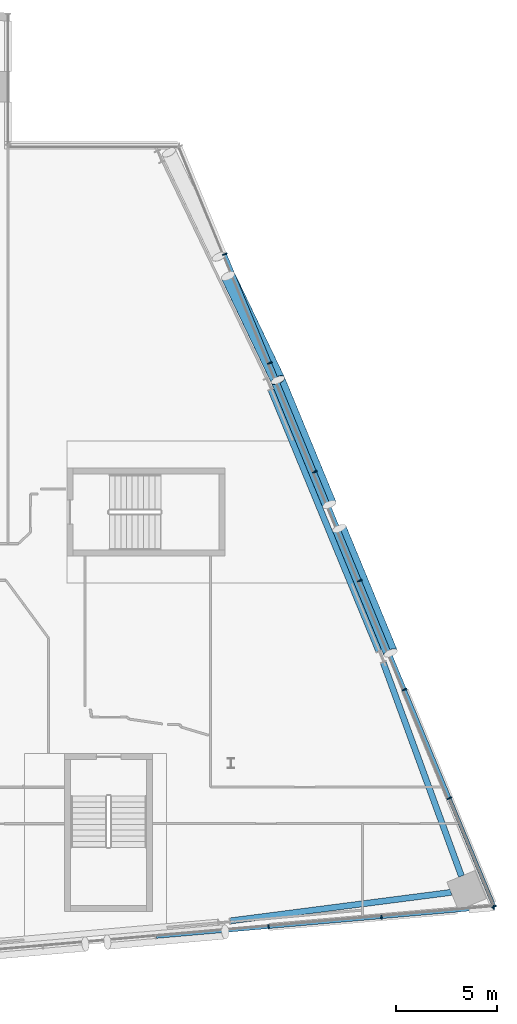
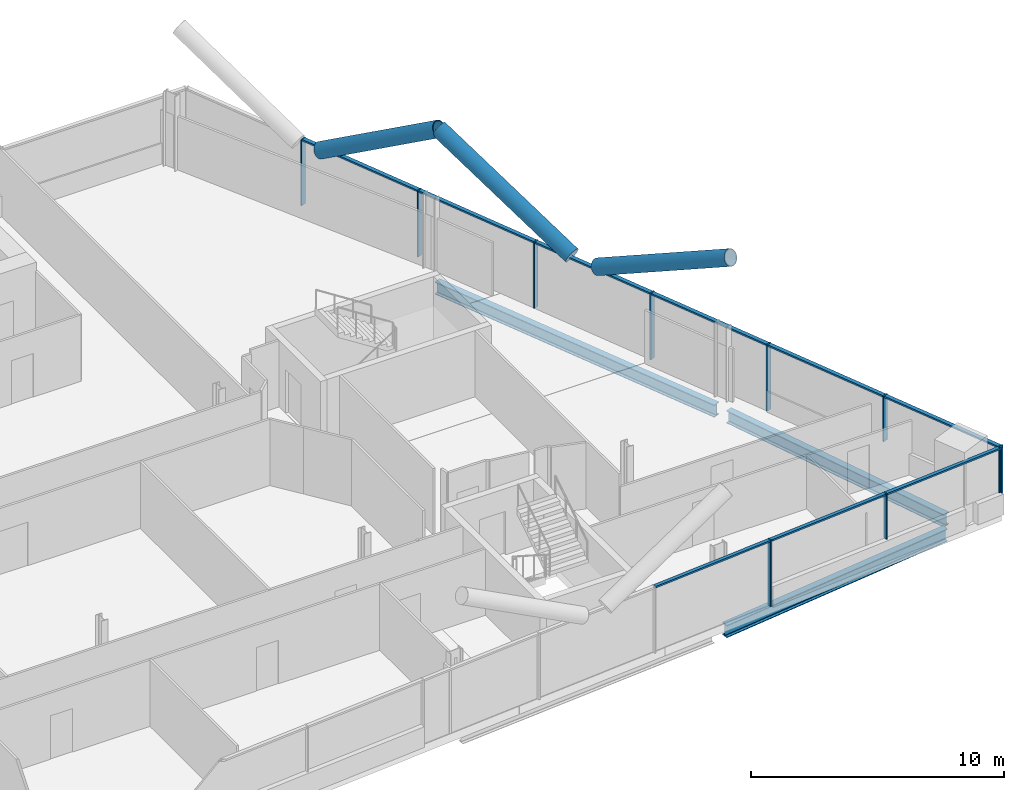
# One storey, part 11 of 27: 22 members, 3 beams, 2 elements without a shape of their own.
"""IFC4 building model written with IfcOpenShell, lengths in metres."""

import ifcopenshell
import ifcopenshell.guid

model = None  # the IFC model being written
_history = None  # IfcOwnerHistory: only IFC2X3 demands one
_inside = {}  # id of a spatial element -> (the spatial element, [elements in it])
_under = {}  # id of a project, library or spatial element -> (it, [spatial elements below it])
_declared = {}  # id of a project -> (the project, [libraries it declares])
_typed = {}  # id of a type object -> (the type object, [elements of that type])
_made_of = {}  # id of a material, layer set ... -> (it, [elements and type objects made of it])


def new_model(schema):
    """Start an empty IFC model of exactly this schema.

    Asked for "IFC4X3", IfcOpenShell would pick the latest addendum, in which some entities
    have other attributes; the version numbers below select the first issue.
    IFC2X3 requires an IfcOwnerHistory on every rooted entity: one is made here for all.
    """
    global model, _history
    if schema == "IFC4X3":
        model = ifcopenshell.file(schema_version=(4, 3, 0, 0))
    else:
        model = ifcopenshell.file(schema=schema)
    _inside.clear()
    _under.clear()
    _declared.clear()
    _typed.clear()
    _made_of.clear()
    _history = None
    if model.schema == "IFC2X3":
        org = make("IfcOrganization", Name="unknown")
        user = make(
            "IfcPersonAndOrganization",
            ThePerson=make("IfcPerson", FamilyName="unknown"),
            TheOrganization=org,
        )
        app = make(
            "IfcApplication",
            ApplicationDeveloper=org,
            Version="unknown",
            ApplicationFullName="unknown",
            ApplicationIdentifier="unknown",
        )
        _history = make(
            "IfcOwnerHistory",
            OwningUser=user,
            OwningApplication=app,
            ChangeAction="ADDED",
            CreationDate=0,
        )
    return model


def make(cls, **values):
    """One entity of the class cls with the attributes given. An attribute that is None is left unset."""
    return model.create_entity(
        cls, **{name: value for name, value in values.items() if value is not None}
    )


def rooted(cls, **values):
    """An entity with a GlobalId (a new one), such as an element, a storey or a relation."""
    return make(cls, GlobalId=ifcopenshell.guid.new(), OwnerHistory=_history, **values)


def si_unit(unit_type, name, prefix=None):
    """IfcSIUnit, for example si_unit("LENGTHUNIT", "METRE", prefix="MILLI")."""
    return make("IfcSIUnit", UnitType=unit_type, Prefix=prefix, Name=name)


def assignment(units):
    """IfcUnitAssignment: the units of a project."""
    return None if units is None else make("IfcUnitAssignment", Units=units)


def point(xyz):
    """IfcCartesianPoint."""
    return None if xyz is None else make("IfcCartesianPoint", Coordinates=xyz)


def direction(xyz):
    """IfcDirection."""
    return None if xyz is None else make("IfcDirection", DirectionRatios=xyz)


def frame(location, z_axis=None, x_axis=None):
    """IfcAxis2Placement3D, a coordinate frame: its origin and axes. An axis left out is left unset."""
    return make(
        "IfcAxis2Placement3D",
        Location=point(location),
        Axis=direction(z_axis),
        RefDirection=direction(x_axis),
    )


def frame_2d(location, x_axis=None):
    """IfcAxis2Placement2D, a coordinate frame in the plane: its origin and x axis."""
    return make(
        "IfcAxis2Placement2D", Location=point(location), RefDirection=direction(x_axis)
    )


def origin():
    """The frame at (0, 0, 0) with its axes left unset."""
    return frame((0.0, 0.0, 0.0))


def origin_2d():
    """The frame at (0, 0) in the plane with its x axis left unset."""
    return frame_2d((0.0, 0.0))


def place(relative_to, where):
    """IfcLocalPlacement: puts the frame where relative to a parent placement (None: the world)."""
    return make(
        "IfcLocalPlacement", PlacementRelTo=relative_to, RelativePlacement=where
    )


def context(
    kind, dimensions, precision=None, world=None, true_north=None, identifier=None
):
    """IfcGeometricRepresentationContext, for example the 3D "Model" context."""
    return make(
        "IfcGeometricRepresentationContext",
        ContextIdentifier=identifier,
        ContextType=kind,
        CoordinateSpaceDimension=dimensions,
        Precision=precision,
        WorldCoordinateSystem=world,
        TrueNorth=true_north,
    )


def subcontext(parent, identifier, kind, view, scale=None):
    """IfcGeometricRepresentationSubContext, for example "Body" below "Model"."""
    return make(
        "IfcGeometricRepresentationSubContext",
        ContextIdentifier=identifier,
        ContextType=kind,
        ParentContext=parent,
        TargetScale=scale,
        TargetView=view,
    )


def project(units=None, contexts=None):
    """IfcProject with its units and contexts."""
    return rooted(
        "IfcProject",
        Name="project",
        RepresentationContexts=contexts,
        UnitsInContext=assignment(units),
    )


def spatial(cls, under=None, at=None, **own):
    """A site, building, storey or space (cls), placed at a placement, below another one or the project."""
    s = rooted(cls, ObjectPlacement=at, **own)
    if under is not None:
        _under.setdefault(under.id(), (under, []))[1].append(s)
    return s


def profile(cls, at=None, kind="AREA", **sizes):
    """A parametric profile (cls). Its sizes go by their IFC names, for example OverallWidth=200.0."""
    return make(cls, ProfileType=kind, Position=at, **sizes)


def rectangle(**sizes):
    """IfcRectangleProfileDef."""
    return profile("IfcRectangleProfileDef", **sizes)


def hollow_circle(**sizes):
    """IfcCircleHollowProfileDef."""
    return profile("IfcCircleHollowProfileDef", **sizes)


def i_section(**sizes):
    """IfcIShapeProfileDef."""
    return profile("IfcIShapeProfileDef", **sizes)


def extrude(swept, where, along, depth):
    """IfcExtrudedAreaSolid: the profile swept, set in the frame where, extruded along a direction by depth."""
    return make(
        "IfcExtrudedAreaSolid",
        SweptArea=swept,
        Position=where,
        ExtrudedDirection=direction(along),
        Depth=depth,
    )


def shape(context_of_items, identifier, shape_type, items):
    """IfcShapeRepresentation: the items that make up one representation, for example the "Body"."""
    return make(
        "IfcShapeRepresentation",
        ContextOfItems=context_of_items,
        RepresentationIdentifier=identifier,
        RepresentationType=shape_type,
        Items=items,
    )


def material(Name=None, Category=None):
    """IfcMaterial."""
    return make("IfcMaterial", Name=Name, Category=Category)


def material_profile(
    of_material, cross_section, Name=None, Category=None, Priority=None
):
    """IfcMaterialProfile: a cross section and its material."""
    return make(
        "IfcMaterialProfile",
        Name=Name,
        Material=of_material,
        Profile=cross_section,
        Priority=Priority,
        Category=Category,
    )


def profile_set(profiles, Name=None, composite=None):
    """IfcMaterialProfileSet."""
    return make(
        "IfcMaterialProfileSet",
        Name=Name,
        MaterialProfiles=profiles,
        CompositeProfile=composite,
    )


def made_of(thing, what):
    """Note that an element or type object is made of a material, layer set ...; save() writes the relation."""
    if what is not None:
        _made_of.setdefault(what.id(), (what, []))[1].append(thing)
    return thing


def type_object(cls, material=None, **own):
    """A type object (cls), such as IfcWallType, which elements share."""
    return made_of(rooted(cls, **own), material)


def element(
    cls,
    number,
    at=None,
    inside=None,
    cuts=None,
    type_object=None,
    material=None,
    context=None,
    identifier="Body",
    shape_type=None,
    held_by="IfcProductDefinitionShape",
    body=None,
    shapes=None,
    **own,
):
    """One element of the class cls, such as IfcWall. Its Tag is "e" and its number.

    at: its placement. inside: the storey or other place that contains it. cuts: it is an
    opening in that element (IfcRelVoidsElement). A single representation is given by context,
    identifier, shape_type and body (its items); several are given by shapes. held_by: the class
    of the entity that holds the representations. save() writes the other relations.
    """
    e = rooted(cls, Tag="e%d" % number, ObjectPlacement=at, **own)
    if body is not None:
        shapes = [shape(context, identifier, shape_type, body)]
    if shapes is not None:
        e.Representation = make(held_by, Representations=shapes)
    if inside is not None:
        _inside.setdefault(inside.id(), (inside, []))[1].append(e)
    if cuts is not None:
        rooted(
            "IfcRelVoidsElement", RelatingBuildingElement=cuts, RelatedOpeningElement=e
        )
    if type_object is not None:
        _typed.setdefault(type_object.id(), (type_object, []))[1].append(e)
    return made_of(e, material)


def aggregate(whole, parts):
    """IfcRelAggregates: a whole, such as a stair, and the parts it consists of."""
    return rooted("IfcRelAggregates", RelatingObject=whole, RelatedObjects=parts)


def save(model, path):
    """Write the relations noted so far, then the file.

    IfcRelAggregates (storeys below a building ...), IfcRelContainedInSpatialStructure (elements
    in a storey), IfcRelDefinesByType, IfcRelAssociatesMaterial and IfcRelDeclares: one each for
    every whole, place, type object, material and project.
    """
    for whole, parts in _under.values():
        aggregate(whole, parts)
    for where, things in _inside.values():
        rooted(
            "IfcRelContainedInSpatialStructure",
            RelatedElements=things,
            RelatingStructure=where,
        )
    for kind, things in _typed.values():
        rooted("IfcRelDefinesByType", RelatedObjects=things, RelatingType=kind)
    for what, things in _made_of.values():
        rooted("IfcRelAssociatesMaterial", RelatedObjects=things, RelatingMaterial=what)
    for by, libraries in _declared.values():
        rooted("IfcRelDeclares", RelatingContext=by, RelatedDefinitions=libraries)
    model.write(path)


model = new_model("IFC4")

# Units and contexts
model_context = context("Model", 3, precision=1e-05, world=origin(), true_north=direction((0.0, 1.0)))
body_context = subcontext(model_context, "Body", "Model", "MODEL_VIEW")
ifc_project = project(units=[si_unit("LENGTHUNIT", "METRE"), si_unit("AREAUNIT", "SQUARE_METRE"), si_unit("VOLUMEUNIT", "CUBIC_METRE"), si_unit("PLANEANGLEUNIT", "RADIAN"), si_unit("MASSUNIT", "GRAM", prefix="KILO")], contexts=[model_context])

# Site, building, storey
site_placement = place(None, origin())
site = spatial("IfcSite", under=ifc_project, at=site_placement, CompositionType="ELEMENT")
building_placement = place(site_placement, origin())
building = spatial("IfcBuilding", under=site, at=building_placement, Name="Wharfspan Tower", CompositionType="ELEMENT")
storey_placement = place(building_placement, frame((0.0, 0.0, 195.100098)))
storey = spatial("IfcBuildingStorey", under=building, at=storey_placement, Name="L48", CompositionType="ELEMENT", Elevation=195.100098)

# Beams
ifc_material_1 = material(Name="Steel S355J2", Category="steel")
ifc_material_profile_1 = material_profile(ifc_material_1, i_section(OverallWidth=0.300049, OverallDepth=0.600098, WebThickness=0.015381, FlangeThickness=0.030029, FilletRadius=0.0271, at=origin_2d()))
ifc_profile_set_1 = profile_set([ifc_material_profile_1], Name="Steel S355J2")
beam_type = type_object("IfcBeamType", Name="Edge beam HEB 600", PredefinedType="SPANDREL", material=ifc_profile_set_1)
beam_1_placement = place(storey_placement, frame((71.965576, 3.724121, -0.700195), z_axis=(0.991764, 0.128077, 0.0), x_axis=(-0.128077, 0.991764, 0.0)))
element("IfcBeam", 1, at=beam_1_placement, inside=storey, type_object=beam_type, Name="Edge beam S2 L48 PS2.2 to MC4", PredefinedType="SPANDREL", context=body_context, shape_type="SweptSolid", body=[
    extrude(i_section(OverallWidth=0.300049, OverallDepth=0.600098, WebThickness=0.015381, FlangeThickness=0.030029, FilletRadius=0.0271, at=origin_2d()), origin(), (0.0, 0.0, 1.0), 10.991211),
])
beam_2_placement = place(storey_placement, frame((83.375732, 5.931885, -0.700195), z_axis=(-0.343871, 0.939017, 0.0), x_axis=(-0.939017, -0.343871, 0.0)))
element("IfcBeam", 2, at=beam_2_placement, inside=storey, type_object=beam_type, Name="Edge beam E L48 MC4 to PE.1", PredefinedType="SPANDREL", context=body_context, shape_type="SweptSolid", body=[
    extrude(i_section(OverallWidth=0.300049, OverallDepth=0.600098, WebThickness=0.015381, FlangeThickness=0.030029, FilletRadius=0.0271, at=origin_2d()), origin(), (0.0, 0.0, 1.0), 11.226807),
])
beam_3_placement = place(storey_placement, frame((79.292969, 17.044434, -0.700195), z_axis=(-0.381593, 0.92433, 0.0), x_axis=(-0.92433, -0.381593, 0.0)))
element("IfcBeam", 3, at=beam_3_placement, inside=storey, type_object=beam_type, Name="Edge beam E L48 PE.1 to PE.2", PredefinedType="SPANDREL", context=body_context, shape_type="SweptSolid", body=[
    extrude(i_section(OverallWidth=0.300049, OverallDepth=0.600098, WebThickness=0.015381, FlangeThickness=0.030029, FilletRadius=0.0271, at=origin_2d()), origin(), (0.0, 0.0, 1.0), 13.94751),
])

# Curtain wall, members
ifc_material_2 = material(Name="Aluminium 6063-T6", Category="aluminium")
curtain_wall_type_1 = type_object("IfcCurtainWallType", Name="CURTAIN WALL FACETED FRONT", PredefinedType="NOTDEFINED", material=ifc_material_2)
curtain_wall_1_placement = place(storey_placement, origin())
curtain_wall_1 = element("IfcCurtainWall", 4, at=curtain_wall_1_placement, inside=storey, type_object=curtain_wall_type_1, Name="Curtain wall S2", PredefinedType="NOTDEFINED")
ifc_material_profile_2 = material_profile(ifc_material_2, rectangle(XDim=0.199951, YDim=0.060059, at=origin_2d()))
ifc_profile_set_2 = profile_set([ifc_material_profile_2], Name="Aluminium 6063-T6")
member_type_1 = type_object("IfcMemberType", Name="MULLION FACETED FRONT 60x200", PredefinedType="MULLION", material=ifc_profile_set_2)
member_1_placement = place(storey_placement, frame((73.857178, 3.425049, 0.0), z_axis=(0.0, 0.0, 1.0), x_axis=(-0.087156, 0.996198, 0.0)))
member_1 = element("IfcMember", 5, at=member_1_placement, type_object=member_type_1, Name="Curtain wall S2 mullion 6", PredefinedType="MULLION", context=body_context, shape_type="SweptSolid", body=[
    extrude(rectangle(XDim=0.199951, YDim=0.060059, at=origin_2d()), origin(), (0.0, 0.0, 1.0), 3.199951),
])
member_2_placement = place(storey_placement, frame((79.428467, 3.912598, 1.0), z_axis=(0.0, 0.0, 1.0), x_axis=(-0.087156, 0.996198, 0.0)))
member_2 = element("IfcMember", 6, at=member_2_placement, type_object=member_type_1, Name="Curtain wall S2 mullion 7", PredefinedType="MULLION", context=body_context, shape_type="SweptSolid", body=[
    extrude(rectangle(XDim=0.199951, YDim=0.060059, at=origin_2d()), origin(), (0.0, 0.0, 1.0), 2.199951),
])
member_3_placement = place(storey_placement, frame((84.970215, 4.397461, 1.0), z_axis=(0.0, 0.0, 1.0), x_axis=(-0.087156, 0.996198, 0.0)))
member_3 = element("IfcMember", 7, at=member_3_placement, type_object=member_type_1, Name="Curtain wall S2 mullion 8", PredefinedType="MULLION", context=body_context, shape_type="SweptSolid", body=[
    extrude(rectangle(XDim=0.199951, YDim=0.060059, at=origin_2d()), origin(), (0.0, 0.0, 1.0), 2.199951),
])

curtain_wall_type_2 = type_object("IfcCurtainWallType", Name="CURTAIN WALL PROW AND END", PredefinedType="NOTDEFINED", material=ifc_material_2)
curtain_wall_2_placement = place(storey_placement, origin())
curtain_wall_2 = element("IfcCurtainWall", 8, at=curtain_wall_2_placement, inside=storey, type_object=curtain_wall_type_2, Name="Curtain wall E", PredefinedType="NOTDEFINED")
ifc_material_profile_3 = material_profile(ifc_material_2, rectangle(XDim=0.23999, YDim=0.060059, at=origin_2d()))
ifc_profile_set_3 = profile_set([ifc_material_profile_3], Name="Aluminium 6063-T6")
member_type_2 = type_object("IfcMemberType", Name="MULLION PROW AND END 60x240", PredefinedType="MULLION", material=ifc_profile_set_3)
member_4_placement = place(storey_placement, frame((84.988525, 4.427734, 1.0), z_axis=(0.0, 0.0, 1.0), x_axis=(-0.924325, -0.381602, 0.0)))
member_4 = element("IfcMember", 9, at=member_4_placement, type_object=member_type_2, Name="Curtain wall E mullion 1", PredefinedType="MULLION", context=body_context, shape_type="SweptSolid", body=[
    extrude(rectangle(XDim=0.23999, YDim=0.060059, at=origin_2d()), origin(), (0.0, 0.0, 1.0), 2.199951),
])
member_5_placement = place(storey_placement, frame((82.782471, 9.771484, 1.0), z_axis=(0.0, 0.0, 1.0), x_axis=(-0.924325, -0.381602, 0.0)))
member_5 = element("IfcMember", 10, at=member_5_placement, type_object=member_type_2, Name="Curtain wall E mullion 2", PredefinedType="MULLION", context=body_context, shape_type="SweptSolid", body=[
    extrude(rectangle(XDim=0.23999, YDim=0.060059, at=origin_2d()), origin(), (0.0, 0.0, 1.0), 2.199951),
])
member_6_placement = place(storey_placement, frame((80.564941, 15.142822, 0.0), z_axis=(0.0, 0.0, 1.0), x_axis=(-0.924325, -0.381602, 0.0)))
member_6 = element("IfcMember", 11, at=member_6_placement, type_object=member_type_2, Name="Curtain wall E mullion 3", PredefinedType="MULLION", context=body_context, shape_type="SweptSolid", body=[
    extrude(rectangle(XDim=0.23999, YDim=0.060059, at=origin_2d()), origin(), (0.0, 0.0, 1.0), 3.199951),
])
member_7_placement = place(storey_placement, frame((78.347412, 20.514404, 0.0), z_axis=(0.0, 0.0, 1.0), x_axis=(-0.924325, -0.381602, 0.0)))
member_7 = element("IfcMember", 12, at=member_7_placement, type_object=member_type_2, Name="Curtain wall E mullion 4", PredefinedType="MULLION", context=body_context, shape_type="SweptSolid", body=[
    extrude(rectangle(XDim=0.23999, YDim=0.060059, at=origin_2d()), origin(), (0.0, 0.0, 1.0), 3.199951),
])
member_8_placement = place(storey_placement, frame((76.129639, 25.885742, 0.0), z_axis=(0.0, 0.0, 1.0), x_axis=(-0.924325, -0.381602, 0.0)))
member_8 = element("IfcMember", 13, at=member_8_placement, type_object=member_type_2, Name="Curtain wall E mullion 5", PredefinedType="MULLION", context=body_context, shape_type="SweptSolid", body=[
    extrude(rectangle(XDim=0.23999, YDim=0.060059, at=origin_2d()), origin(), (0.0, 0.0, 1.0), 3.199951),
])
member_9_placement = place(storey_placement, frame((73.912109, 31.25708, 0.0), z_axis=(0.0, 0.0, 1.0), x_axis=(-0.924325, -0.381602, 0.0)))
member_9 = element("IfcMember", 14, at=member_9_placement, type_object=member_type_2, Name="Curtain wall E mullion 6", PredefinedType="MULLION", context=body_context, shape_type="SweptSolid", body=[
    extrude(rectangle(XDim=0.23999, YDim=0.060059, at=origin_2d()), origin(), (0.0, 0.0, 1.0), 3.199951),
])
member_10_placement = place(storey_placement, frame((71.69458, 36.628662, 0.0), z_axis=(0.0, 0.0, 1.0), x_axis=(-0.924325, -0.381602, 0.0)))
member_10 = element("IfcMember", 15, at=member_10_placement, type_object=member_type_2, Name="Curtain wall E mullion 7", PredefinedType="MULLION", context=body_context, shape_type="SweptSolid", body=[
    extrude(rectangle(XDim=0.23999, YDim=0.060059, at=origin_2d()), origin(), (0.0, 0.0, 1.0), 3.199951),
])

# Members
ifc_material_3 = material(Name="Steel S460NH", Category="steel")
ifc_material_profile_4 = material_profile(ifc_material_3, hollow_circle(Radius=0.355469, WallThickness=0.035889, at=origin_2d()))
ifc_profile_set_4 = profile_set([ifc_material_profile_4], Name="Steel S460NH")
member_type_3 = type_object("IfcMemberType", Name="Mega brace CHS 711x36", PredefinedType="BRACE", material=ifc_profile_set_4)
member_11_placement = place(storey_placement, frame((76.854248, 24.275146, 3.216553), z_axis=(-0.342079, 0.828531, 0.443305), x_axis=(-0.924316, -0.381624, -4e-06)))
element("IfcMember", 16, at=member_11_placement, inside=storey, type_object=member_type_3, Name="Mega brace E5 L48 part 2", PredefinedType="BRACE", context=body_context, shape_type="SweptSolid", body=[
    extrude(hollow_circle(Radius=0.355469, WallThickness=0.035889, at=origin_2d()), origin(), (0.0, 0.0, 1.0), 7.406738),
])
member_12_placement = place(storey_placement, frame((77.343018, 23.091309, 3.216553), z_axis=(0.34204, -0.82855, 0.443298), x_axis=(0.924336, 0.38158, -4e-06)))
element("IfcMember", 17, at=member_12_placement, inside=storey, type_object=member_type_3, Name="Mega brace E5 L48 part 4", PredefinedType="BRACE", context=body_context, shape_type="SweptSolid", body=[
    extrude(hollow_circle(Radius=0.355469, WallThickness=0.035889, at=origin_2d()), origin(), (0.0, 0.0, 1.0), 7.406982),
])
member_13_placement = place(storey_placement, frame((71.858154, 35.550537, 3.205566), z_axis=(0.374112, -0.780716, 0.500522), x_axis=(0.901807, 0.432139, 2e-06)))
element("IfcMember", 18, at=member_13_placement, inside=storey, type_object=member_type_3, Name="Mega brace E6 L48 part 4", PredefinedType="BRACE", context=body_context, shape_type="SweptSolid", body=[
    extrude(hollow_circle(Radius=0.355469, WallThickness=0.035889, at=origin_2d()), origin(), (0.0, 0.0, 1.0), 6.582031),
])

# Member
ifc_material_profile_5 = material_profile(ifc_material_2, rectangle(XDim=0.159912, YDim=0.080078, at=origin_2d()))
ifc_profile_set_5 = profile_set([ifc_material_profile_5], Name="Aluminium 6063-T6")
member_type_4 = type_object("IfcMemberType", Name="TRANSOM FACETED FRONT 80x160", PredefinedType="USERDEFINED", material=ifc_profile_set_5)
member_14_placement = place(storey_placement, frame((68.315674, 2.940186, 3.159912), z_axis=(0.996191, 0.087197, 0.0), x_axis=(-0.087197, 0.996191, 0.0)))
member_14 = element("IfcMember", 19, at=member_14_placement, type_object=member_type_4, Name="Curtain wall S2 transom 5", ObjectType="TRANSOM", PredefinedType="USERDEFINED", context=body_context, shape_type="SweptSolid", body=[
    extrude(rectangle(XDim=0.159912, YDim=0.080078, at=origin_2d()), origin(), (0.0, 0.0, 1.0), 5.532471),
])

member_15_placement = place(storey_placement, frame((73.886963, 3.427734, 3.159912), z_axis=(0.996195, 0.087149, 0.0), x_axis=(-0.087149, 0.996195, 0.0)))
member_15 = element("IfcMember", 20, at=member_15_placement, type_object=member_type_4, Name="Curtain wall S2 transom 6", ObjectType="TRANSOM", PredefinedType="USERDEFINED", context=body_context, shape_type="SweptSolid", body=[
    extrude(rectangle(XDim=0.159912, YDim=0.080078, at=origin_2d()), origin(), (0.0, 0.0, 1.0), 5.532715),
])

member_16_placement = place(storey_placement, frame((79.458496, 3.915283, 3.159912), z_axis=(0.996196, 0.087139, 0.0), x_axis=(-0.087139, 0.996196, 0.0)))
member_16 = element("IfcMember", 21, at=member_16_placement, type_object=member_type_4, Name="Curtain wall S2 transom 7", ObjectType="TRANSOM", PredefinedType="USERDEFINED", context=body_context, shape_type="SweptSolid", body=[
    extrude(rectangle(XDim=0.159912, YDim=0.080078, at=origin_2d()), origin(), (0.0, 0.0, 1.0), 5.502686),
])

aggregate(curtain_wall_1, [member_1, member_2, member_3, member_14, member_15, member_16])

ifc_material_profile_6 = material_profile(ifc_material_2, rectangle(XDim=0.179932, YDim=0.080078, at=origin_2d()))
ifc_profile_set_6 = profile_set([ifc_material_profile_6], Name="Aluminium 6063-T6")
member_type_5 = type_object("IfcMemberType", Name="TRANSOM PROW AND END 80x180", PredefinedType="USERDEFINED", material=ifc_profile_set_6)
member_17_placement = place(storey_placement, frame((84.977051, 4.455566, 3.159912), z_axis=(-0.381595, 0.924329, 0.0), x_axis=(-0.924329, -0.381595, 0.0)))
member_17 = element("IfcMember", 22, at=member_17_placement, type_object=member_type_5, Name="Curtain wall E transom 1", ObjectType="TRANSOM", PredefinedType="USERDEFINED", context=body_context, shape_type="SweptSolid", body=[
    extrude(rectangle(XDim=0.179932, YDim=0.080078, at=origin_2d()), origin(), (0.0, 0.0, 1.0), 5.720947),
])

member_18_placement = place(storey_placement, frame((82.770996, 9.799072, 3.159912), z_axis=(-0.381578, 0.924337, 0.0), x_axis=(-0.924337, -0.381578, 0.0)))
member_18 = element("IfcMember", 23, at=member_18_placement, type_object=member_type_5, Name="Curtain wall E transom 2", ObjectType="TRANSOM", PredefinedType="USERDEFINED", context=body_context, shape_type="SweptSolid", body=[
    extrude(rectangle(XDim=0.179932, YDim=0.080078, at=origin_2d()), origin(), (0.0, 0.0, 1.0), 5.751221),
])

member_19_placement = place(storey_placement, frame((80.553467, 15.170654, 3.159912), z_axis=(-0.381629, 0.924315, 0.0), x_axis=(-0.924315, -0.381629, 0.0)))
member_19 = element("IfcMember", 24, at=member_19_placement, type_object=member_type_5, Name="Curtain wall E transom 3", ObjectType="TRANSOM", PredefinedType="USERDEFINED", context=body_context, shape_type="SweptSolid", body=[
    extrude(rectangle(XDim=0.179932, YDim=0.080078, at=origin_2d()), origin(), (0.0, 0.0, 1.0), 5.751221),
])

member_20_placement = place(storey_placement, frame((78.335938, 20.541992, 3.159912), z_axis=(-0.381629, 0.924315, 0.0), x_axis=(-0.924315, -0.381629, 0.0)))
member_20 = element("IfcMember", 25, at=member_20_placement, type_object=member_type_5, Name="Curtain wall E transom 4", ObjectType="TRANSOM", PredefinedType="USERDEFINED", context=body_context, shape_type="SweptSolid", body=[
    extrude(rectangle(XDim=0.179932, YDim=0.080078, at=origin_2d()), origin(), (0.0, 0.0, 1.0), 5.751221),
])

member_21_placement = place(storey_placement, frame((76.118408, 25.91333, 3.159912), z_axis=(-0.381614, 0.924322, 0.0), x_axis=(-0.924322, -0.381614, 0.0)))
member_21 = element("IfcMember", 26, at=member_21_placement, type_object=member_type_5, Name="Curtain wall E transom 5", ObjectType="TRANSOM", PredefinedType="USERDEFINED", context=body_context, shape_type="SweptSolid", body=[
    extrude(rectangle(XDim=0.179932, YDim=0.080078, at=origin_2d()), origin(), (0.0, 0.0, 1.0), 5.751465),
])

member_22_placement = place(storey_placement, frame((73.900635, 31.284912, 3.159912), z_axis=(-0.381593, 0.92433, 0.0), x_axis=(-0.92433, -0.381593, 0.0)))
member_22 = element("IfcMember", 27, at=member_22_placement, type_object=member_type_5, Name="Curtain wall E transom 6", ObjectType="TRANSOM", PredefinedType="USERDEFINED", context=body_context, shape_type="SweptSolid", body=[
    extrude(rectangle(XDim=0.179932, YDim=0.080078, at=origin_2d()), origin(), (0.0, 0.0, 1.0), 5.751221),
])

aggregate(curtain_wall_2, [member_4, member_5, member_6, member_7, member_8, member_9, member_10, member_17, member_18, member_19, member_20, member_21, member_22])

save(model, "model.ifc")
